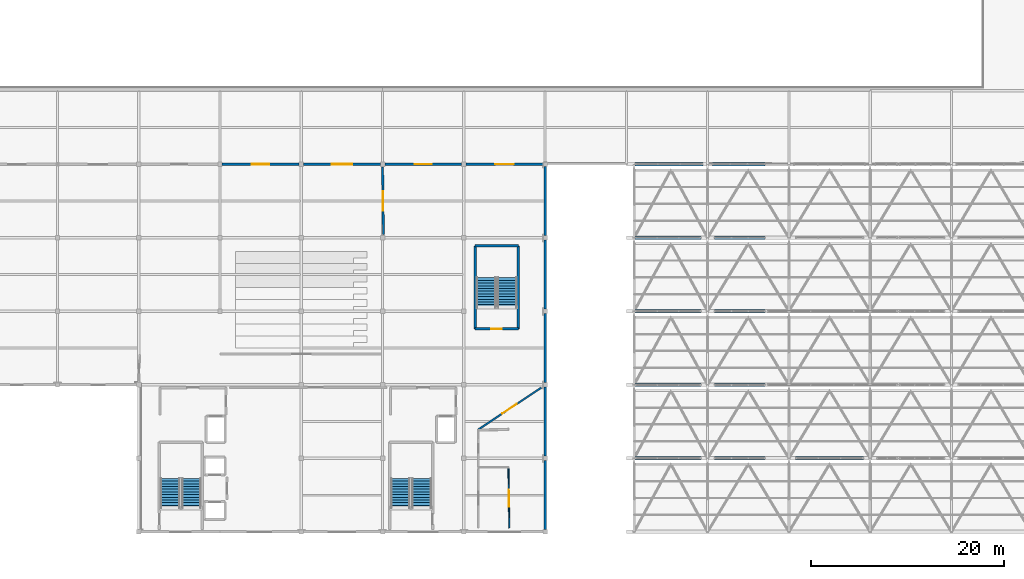
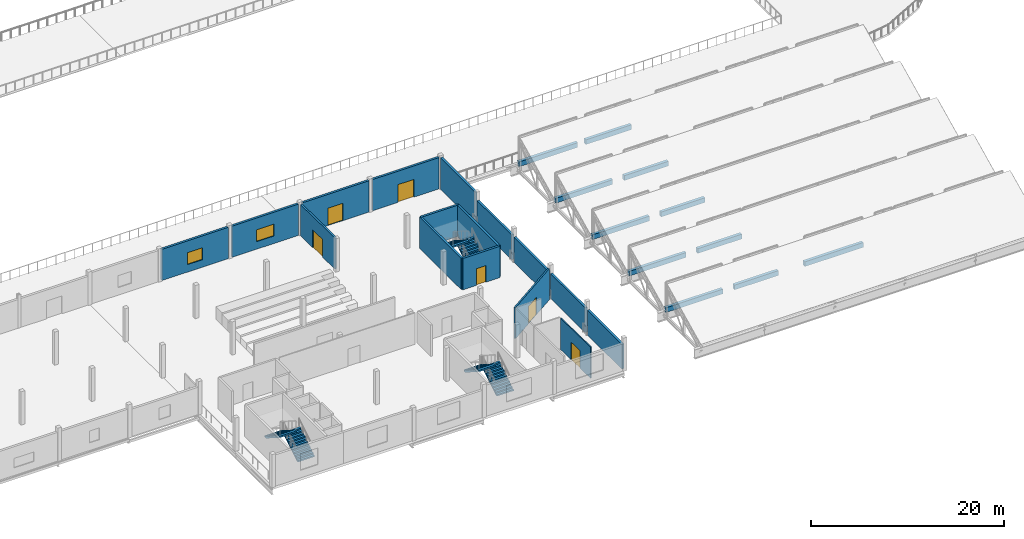
# One storey, part 52 of 57: 16 walls, 11 discrete accessories, 6 doors, 6 stair flights, 2 windows, 8 openings, 3 elements without a shape of their own.
"""IFC4 building model written with IfcOpenShell, lengths in metres."""

from ifc_helpers import new_model, si_unit, direction, frame, frame_2d, origin, origin_2d, place, context, subcontext, project, spatial, polyline, rectangle, outline, extrude, material, layer, layer_set, type_object, element, fill, aggregate, save


model = new_model("IFC4")

# Units and contexts
model_context = context("Model", 3, precision=1e-05, world=origin(), true_north=direction((0.0, 1.0)))
body_context = subcontext(model_context, "Body", "Model", "MODEL_VIEW")
ifc_project = project(units=[si_unit("LENGTHUNIT", "METRE"), si_unit("AREAUNIT", "SQUARE_METRE"), si_unit("VOLUMEUNIT", "CUBIC_METRE"), si_unit("PLANEANGLEUNIT", "RADIAN"), si_unit("MASSUNIT", "GRAM", prefix="KILO")], contexts=[model_context])

# Site, building, storey
site_placement = place(None, origin())
site = spatial("IfcSite", under=ifc_project, at=site_placement, CompositionType="ELEMENT")
building_placement = place(site_placement, origin())
building = spatial("IfcBuilding", under=site, at=building_placement, Name="Zuvorla Pavilion Media Centre", CompositionType="ELEMENT")
storey_placement = place(building_placement, frame((0.0, 0.0, 18.0)))
storey = spatial("IfcBuildingStorey", under=building, at=storey_placement, Name="L04", CompositionType="ELEMENT", Elevation=18.0)

# Wall, opening, door
ifc_material_1 = material(Name="Acoustic masonry blockwork C32/40", Category="masonry")
ifc_layer_1 = layer(ifc_material_1, 0.219970703125)
ifc_layer_set_1 = layer_set([ifc_layer_1], Name="Acoustic masonry blockwork C32/40")
wall_type_1 = type_object("IfcWallType", Name="WL-CMP-220", PredefinedType="SOLIDWALL", material=ifc_layer_set_1)
wall_1_placement = place(storey_placement, frame((92.089111328125, 36.715087890625, 0.0), z_axis=(0.0, 0.0, 1.0), x_axis=(-0.012757630579, 0.999918618119, 0.0)))
wall_1 = element("IfcWall", 1, at=wall_1_placement, inside=storey, type_object=wall_type_1, Name="L04 solid wall IW22 555", PredefinedType="SOLIDWALL", context=body_context, shape_type="SweptSolid", body=[
    extrude(rectangle(XDim=6.98486328125, YDim=0.219970703125, at=frame_2d((3.492431640625, 0.0))), origin(), (0.0, 0.0, 1.0), 3.949951171875),
])
opening_1_placement = place(wall_1_placement, frame((2.492431640625, 0.0, 0.0)))
opening_1 = element("IfcOpeningElement", 2, at=opening_1_placement, cuts=wall_1, Name="Opening FD12", PredefinedType="OPENING", context=body_context, shape_type="SweptSolid", body=[
    extrude(rectangle(XDim=2.0, YDim=2.25, at=frame_2d((1.0, 1.125))), frame((0.0, 0.119873046875, 0.0), z_axis=(0.0, -1.0, 0.0), x_axis=(1.0, 0.0, 0.0)), (0.0, 0.0, 1.0), 0.239990234375),
])
ifc_material_2 = material(Name="Acoustic timber fire door leaf in steel frame", Category="steel")
door_type_1 = type_object("IfcDoorType", Name="DR-INT-FD12", OperationType="NOTDEFINED", PredefinedType="DOOR", material=ifc_material_2)
door_1_placement = place(opening_1_placement, origin())
door_1 = element("IfcDoor", 3, at=door_1_placement, inside=storey, type_object=door_type_1, Name="Interior door FD12 245", OperationType="DOUBLE_DOOR_SINGLE_SWING", OverallHeight=2.25, OverallWidth=2.0, PredefinedType="DOOR", context=body_context, shape_type="SweptSolid", body=[
    extrude(rectangle(XDim=2.0, YDim=2.25, at=frame_2d((1.0, 1.125))), frame((0.0, 0.02490234375, 0.0), z_axis=(0.0, -1.0, 0.0), x_axis=(1.0, 0.0, 0.0)), (0.0, 0.0, 1.0), 0.050048828125),
])
fill(opening_1, door_1)

# Walls
ifc_material_3 = material(Name="Concrete C40/50", Category="concrete")
ifc_layer_2 = layer(ifc_material_3, 0.25)
ifc_layer_set_2 = layer_set([ifc_layer_2], Name="Concrete C40/50")
wall_type_2 = type_object("IfcWallType", Name="WL-COR-250", PredefinedType="SHEAR", material=ifc_layer_set_2)
for number, where, z_axis, x_axis, name in (
    (4, (101.574951171875, 26.97509765625, 0.0), (0.0, 0.0, 1.0), (0.0, 1.0, 0.0), "L04 shear wall CW25 321"),
    (5, (106.02490234375, 26.97509765625, 0.0), (0.0, 0.0, 1.0), (0.0, 1.0, 0.0), "L04 shear wall CW25 322"),
):
    element("IfcWall", number, at=place(storey_placement, frame(where, z_axis=z_axis, x_axis=x_axis)), inside=storey, type_object=wall_type_2, Name=name, PredefinedType="SHEAR", context=body_context, shape_type="SweptSolid", body=[
        extrude(rectangle(XDim=8.599853515625, YDim=0.25, at=frame_2d((4.2998046875, 0.0))), origin(), (0.0, 0.0, 1.0), 3.9599609375),
    ])
wall_2_placement = place(storey_placement, frame((101.574951171875, 35.574951171875, 0.0), z_axis=(0.0, 0.0, 1.0), x_axis=(1.0, 0.0, 0.0)))
element("IfcWall", 6, at=wall_2_placement, inside=storey, type_object=wall_type_2, Name="L04 shear wall CW25 323", PredefinedType="SHEAR", context=body_context, shape_type="SweptSolid", body=[
    extrude(rectangle(XDim=4.449951171875, YDim=0.25, at=frame_2d((2.22509765625, 0.0))), origin(), (0.0, 0.0, 1.0), 3.9599609375),
])

# Wall, opening, door
wall_3_placement = place(storey_placement, frame((101.574951171875, 26.97509765625, 0.0), z_axis=(0.0, 0.0, 1.0), x_axis=(1.0, 0.0, 0.0)))
wall_3 = element("IfcWall", 7, at=wall_3_placement, inside=storey, type_object=wall_type_2, Name="L04 shear wall CW25 324", PredefinedType="SHEAR", context=body_context, shape_type="SweptSolid", body=[
    extrude(rectangle(XDim=4.449951171875, YDim=0.25, at=frame_2d((2.22509765625, 0.0))), origin(), (0.0, 0.0, 1.0), 3.9599609375),
])
opening_2_placement = place(wall_3_placement, frame((1.64990234375, 0.0, 0.0)))
opening_2 = element("IfcOpeningElement", 8, at=opening_2_placement, cuts=wall_3, Name="Opening FD05", PredefinedType="OPENING", context=body_context, shape_type="SweptSolid", body=[
    extrude(rectangle(XDim=1.10009765625, YDim=2.10009765625, at=frame_2d((0.550048828125, 1.050048828125))), frame((0.0, 0.135009765625, 0.0), z_axis=(0.0, -1.0, 0.0), x_axis=(1.0, 0.0, 0.0)), (0.0, 0.0, 1.0), 0.27001953125),
])
door_type_2 = type_object("IfcDoorType", Name="DR-INT-FD05", OperationType="NOTDEFINED", PredefinedType="DOOR", material=ifc_material_2)
door_2_placement = place(opening_2_placement, frame((1.10009765625, 0.0, 0.0), z_axis=(0.0, 0.0, 1.0), x_axis=(-1.0, 0.0, 0.0)))
door_2 = element("IfcDoor", 9, at=door_2_placement, inside=storey, type_object=door_type_2, Name="Stair ST-04 fire door FD05 110", OperationType="SINGLE_SWING_RIGHT", OverallHeight=2.10009765625, OverallWidth=1.10009765625, PredefinedType="DOOR", context=body_context, shape_type="SweptSolid", body=[
    extrude(rectangle(XDim=1.10009765625, YDim=2.10009765625, at=frame_2d((0.550048828125, 1.050048828125))), frame((0.0, 0.02490234375, 0.0), z_axis=(0.0, -1.0, 0.0), x_axis=(1.0, 0.0, 0.0)), (0.0, 0.0, 1.0), 0.050048828125),
])
fill(opening_2, door_2)

# Walls
ifc_material_4 = material(Name="White rendered concrete C32/40", Category="concrete")
ifc_layer_3 = layer(ifc_material_4, 0.260009765625)
ifc_layer_set_3 = layer_set([ifc_layer_3], Name="White rendered concrete C32/40")
wall_type_3 = type_object("IfcWallType", Name="WL-EXT-260", PredefinedType="SOLIDWALL", material=ifc_layer_set_3)
wall_4_placement = place(storey_placement, frame((108.800048828125, 6.22509765625, 0.0), z_axis=(0.0, 0.0, 1.0), x_axis=(0.0, 1.0, 0.0)))
element("IfcWall", 10, at=wall_4_placement, inside=storey, type_object=wall_type_3, Name="L04 exterior solid wall EW04 280", PredefinedType="SOLIDWALL", context=body_context, shape_type="SweptSolid", body=[
    extrude(rectangle(XDim=7.14990234375, YDim=0.260009765625, at=frame_2d((3.574951171875, 0.0))), origin(), (0.0, 0.0, 1.0), 3.134765625),
])
wall_5_placement = place(storey_placement, frame((108.800048828125, 13.824951171875, 0.0), z_axis=(0.0, 0.0, 1.0), x_axis=(0.0, 1.0, 0.0)))
element("IfcWall", 11, at=wall_5_placement, inside=storey, type_object=wall_type_3, Name="L04 exterior solid wall EW04 281", PredefinedType="SOLIDWALL", context=body_context, shape_type="SweptSolid", body=[
    extrude(rectangle(XDim=7.150146484375, YDim=0.260009765625, at=frame_2d((3.5751953125, 0.0))), origin(), (0.0, 0.0, 1.0), 3.134765625),
])
wall_6_placement = place(storey_placement, frame((108.800048828125, 21.425048828125, 0.0), z_axis=(0.0, 0.0, 1.0), x_axis=(0.0, 1.0, 0.0)))
element("IfcWall", 12, at=wall_6_placement, inside=storey, type_object=wall_type_3, Name="L04 exterior solid wall EW04 282", PredefinedType="SOLIDWALL", context=body_context, shape_type="SweptSolid", body=[
    extrude(rectangle(XDim=7.14990234375, YDim=0.260009765625, at=frame_2d((3.574951171875, 0.0))), origin(), (0.0, 0.0, 1.0), 3.134765625),
])
wall_7_placement = place(storey_placement, frame((108.800048828125, 29.02490234375, 0.0), z_axis=(0.0, 0.0, 1.0), x_axis=(0.0, 1.0, 0.0)))
element("IfcWall", 13, at=wall_7_placement, inside=storey, type_object=wall_type_3, Name="L04 exterior solid wall EW04 283", PredefinedType="SOLIDWALL", context=body_context, shape_type="SweptSolid", body=[
    extrude(rectangle(XDim=7.150146484375, YDim=0.260009765625, at=frame_2d((3.5751953125, 0.0))), origin(), (0.0, 0.0, 1.0), 3.134765625),
])
wall_8_placement = place(storey_placement, frame((108.800048828125, 36.625, 0.0), z_axis=(0.0, 0.0, 1.0), x_axis=(0.0, 1.0, 0.0)))
element("IfcWall", 14, at=wall_8_placement, inside=storey, type_object=wall_type_3, Name="L04 exterior solid wall EW04 284", PredefinedType="SOLIDWALL", context=body_context, shape_type="SweptSolid", body=[
    extrude(rectangle(XDim=7.14990234375, YDim=0.260009765625, at=frame_2d((3.574951171875, 0.0))), origin(), (0.0, 0.0, 1.0), 3.949951171875),
])

# Wall, opening, window
wall_9_placement = place(storey_placement, frame((75.425048828125, 44.0, 0.0), z_axis=(0.0, 0.0, 1.0), x_axis=(1.0, 0.0, 0.0)))
wall_9 = element("IfcWall", 15, at=wall_9_placement, inside=storey, type_object=wall_type_3, Name="L04 exterior solid wall EW04 295", PredefinedType="SOLIDWALL", context=body_context, shape_type="SweptSolid", body=[
    extrude(rectangle(XDim=7.949951171875, YDim=0.260009765625, at=frame_2d((3.97509765625, 0.0))), origin(), (0.0, 0.0, 1.0), 3.949951171875),
])
opening_3_placement = place(wall_9_placement, frame((3.074951171875, 0.0, 0.949951171875)))
opening_3 = element("IfcOpeningElement", 16, at=opening_3_placement, cuts=wall_9, Name="Opening WN05", PredefinedType="OPENING", context=body_context, shape_type="SweptSolid", body=[
    extrude(rectangle(XDim=1.800048828125, YDim=1.5, at=frame_2d((0.89990234375, 0.75))), frame((0.0, 0.139892578125, 0.0), z_axis=(0.0, -1.0, 0.0), x_axis=(1.0, 0.0, 0.0)), (0.0, 0.0, 1.0), 0.280029296875),
])
ifc_material_5 = material(Name="Anodised aluminium frame with solar double glazing", Category="aluminium")
window_type_1 = type_object("IfcWindowType", Name="WIN-WN05", PartitioningType="DOUBLE_PANEL_VERTICAL", PredefinedType="WINDOW", material=ifc_material_5)
window_1_placement = place(opening_3_placement, origin())
window_1 = element("IfcWindow", 17, at=window_1_placement, inside=storey, type_object=window_type_1, Name="L04 window WN05 117", OverallHeight=1.5, OverallWidth=1.800048828125, PartitioningType="DOUBLE_PANEL_VERTICAL", PredefinedType="WINDOW", context=body_context, shape_type="SweptSolid", body=[
    extrude(rectangle(XDim=1.800048828125, YDim=1.5, at=frame_2d((0.89990234375, 0.75))), frame((0.0, 0.030029296875, 0.0), z_axis=(0.0, -1.0, 0.0), x_axis=(1.0, 0.0, 0.0)), (0.0, 0.0, 1.0), 0.06005859375),
])
fill(opening_3, window_1)

wall_10_placement = place(storey_placement, frame((83.824951171875, 44.0, 0.0), z_axis=(0.0, 0.0, 1.0), x_axis=(1.0, 0.0, 0.0)))
wall_10 = element("IfcWall", 18, at=wall_10_placement, inside=storey, type_object=wall_type_3, Name="L04 exterior solid wall EW04 296", PredefinedType="SOLIDWALL", context=body_context, shape_type="SweptSolid", body=[
    extrude(rectangle(XDim=7.949951171875, YDim=0.260009765625, at=frame_2d((3.97509765625, 0.0))), origin(), (0.0, 0.0, 1.0), 3.949951171875),
])
opening_4_placement = place(wall_10_placement, frame((2.925048828125, 0.0, 0.949951171875)))
opening_4 = element("IfcOpeningElement", 19, at=opening_4_placement, cuts=wall_10, Name="Opening WN06", PredefinedType="OPENING", context=body_context, shape_type="SweptSolid", body=[
    extrude(rectangle(XDim=2.10009765625, YDim=1.5, at=frame_2d((1.050048828125, 0.75))), frame((0.0, 0.139892578125, 0.0), z_axis=(0.0, -1.0, 0.0), x_axis=(1.0, 0.0, 0.0)), (0.0, 0.0, 1.0), 0.280029296875),
])
window_type_2 = type_object("IfcWindowType", Name="WIN-WN06", PartitioningType="DOUBLE_PANEL_VERTICAL", PredefinedType="WINDOW", material=ifc_material_5)
window_2_placement = place(opening_4_placement, origin())
window_2 = element("IfcWindow", 20, at=window_2_placement, inside=storey, type_object=window_type_2, Name="L04 window WN06 118", OverallHeight=1.5, OverallWidth=2.10009765625, PartitioningType="DOUBLE_PANEL_VERTICAL", PredefinedType="WINDOW", context=body_context, shape_type="SweptSolid", body=[
    extrude(rectangle(XDim=2.10009765625, YDim=1.5, at=frame_2d((1.050048828125, 0.75))), frame((0.0, 0.030029296875, 0.0), z_axis=(0.0, -1.0, 0.0), x_axis=(1.0, 0.0, 0.0)), (0.0, 0.0, 1.0), 0.06005859375),
])
fill(opening_4, window_2)

# Wall, opening, door
wall_11_placement = place(storey_placement, frame((92.22509765625, 44.0, 0.0), z_axis=(0.0, 0.0, 1.0), x_axis=(1.0, 0.0, 0.0)))
wall_11 = element("IfcWall", 21, at=wall_11_placement, inside=storey, type_object=wall_type_3, Name="L04 exterior solid wall EW04 297", PredefinedType="SOLIDWALL", context=body_context, shape_type="SweptSolid", body=[
    extrude(rectangle(XDim=7.949951171875, YDim=0.260009765625, at=frame_2d((3.97509765625, 0.0))), origin(), (0.0, 0.0, 1.0), 3.949951171875),
])
opening_5_placement = place(wall_11_placement, frame((3.074951171875, 0.0, 0.0)))
opening_5 = element("IfcOpeningElement", 22, at=opening_5_placement, cuts=wall_11, Name="Opening ED04", PredefinedType="OPENING", context=body_context, shape_type="SweptSolid", body=[
    extrude(rectangle(XDim=1.800048828125, YDim=2.199951171875, at=frame_2d((0.89990234375, 1.10009765625))), frame((0.0, 0.139892578125, 0.0), z_axis=(0.0, -1.0, 0.0), x_axis=(1.0, 0.0, 0.0)), (0.0, 0.0, 1.0), 0.280029296875),
])
ifc_material_6 = material(Name="Anodised aluminium terrace double door", Category="aluminium")
door_type_3 = type_object("IfcDoorType", Name="DR-EXT-180x220", OperationType="NOTDEFINED", PredefinedType="DOOR", material=ifc_material_6)
door_3_placement = place(opening_5_placement, origin())
door_3 = element("IfcDoor", 23, at=door_3_placement, inside=storey, type_object=door_type_3, Name="Terrace Entrance Door DR-EXT-L04-023", OperationType="DOUBLE_DOOR_SINGLE_SWING", OverallHeight=2.199951171875, OverallWidth=1.800048828125, PredefinedType="DOOR", context=body_context, shape_type="SweptSolid", body=[
    extrude(rectangle(XDim=1.800048828125, YDim=2.199951171875, at=frame_2d((0.89990234375, 1.10009765625))), frame((0.0, 0.02490234375, 0.0), z_axis=(0.0, -1.0, 0.0), x_axis=(1.0, 0.0, 0.0)), (0.0, 0.0, 1.0), 0.050048828125),
])
fill(opening_5, door_3)

wall_12_placement = place(storey_placement, frame((100.625, 44.0, 0.0), z_axis=(0.0, 0.0, 1.0), x_axis=(1.0, 0.0, 0.0)))
wall_12 = element("IfcWall", 24, at=wall_12_placement, inside=storey, type_object=wall_type_3, Name="L04 exterior solid wall EW04 298", PredefinedType="SOLIDWALL", context=body_context, shape_type="SweptSolid", body=[
    extrude(rectangle(XDim=7.949951171875, YDim=0.260009765625, at=frame_2d((3.97509765625, 0.0))), origin(), (0.0, 0.0, 1.0), 3.949951171875),
])
opening_6_placement = place(wall_12_placement, frame((3.02490234375, 0.0, 0.0)))
opening_6 = element("IfcOpeningElement", 25, at=opening_6_placement, cuts=wall_12, Name="Opening ED05", PredefinedType="OPENING", context=body_context, shape_type="SweptSolid", body=[
    extrude(rectangle(XDim=1.89990234375, YDim=2.25, at=frame_2d((0.949951171875, 1.125))), frame((0.0, 0.139892578125, 0.0), z_axis=(0.0, -1.0, 0.0), x_axis=(1.0, 0.0, 0.0)), (0.0, 0.0, 1.0), 0.280029296875),
])
ifc_material_7 = material(Name="Anodised aluminium lounge terrace door", Category="aluminium")
door_type_4 = type_object("IfcDoorType", Name="DR-EXT-190x225", OperationType="NOTDEFINED", PredefinedType="DOOR", material=ifc_material_7)
door_4_placement = place(opening_6_placement, origin())
door_4 = element("IfcDoor", 26, at=door_4_placement, inside=storey, type_object=door_type_4, Name="Terrace Entrance Door DR-EXT-L04-024", OperationType="DOUBLE_DOOR_SINGLE_SWING", OverallHeight=2.25, OverallWidth=1.89990234375, PredefinedType="DOOR", context=body_context, shape_type="SweptSolid", body=[
    extrude(rectangle(XDim=1.89990234375, YDim=2.25, at=frame_2d((0.949951171875, 1.125))), frame((0.0, 0.02490234375, 0.0), z_axis=(0.0, -1.0, 0.0), x_axis=(1.0, 0.0, 0.0)), (0.0, 0.0, 1.0), 0.050048828125),
])
fill(opening_6, door_4)

ifc_material_8 = material(Name="Lightweight gypsum partition")
ifc_layer_4 = layer(ifc_material_8, 0.1201171875)
ifc_layer_set_4 = layer_set([ifc_layer_4], Name="Lightweight gypsum partition")
wall_type_4 = type_object("IfcWallType", Name="WL-PRT-120", PredefinedType="PARTITIONING", material=ifc_layer_set_4)
wall_13_placement = place(storey_placement, frame((105.010009765625, 12.510009765625, 0.0), z_axis=(0.0, 0.0, 1.0), x_axis=(0.014742474068, -0.999891323824, 0.0)))
wall_13 = element("IfcWall", 27, at=wall_13_placement, inside=storey, type_object=wall_type_4, Name="L04 partition PT12 558", PredefinedType="PARTITIONING", context=body_context, shape_type="SweptSolid", body=[
    extrude(rectangle(XDim=6.11083984375, YDim=0.1201171875, at=frame_2d((3.055419921875, 0.0))), origin(), (0.0, 0.0, 1.0), 3.949951171875),
])
opening_7_placement = place(wall_13_placement, frame((2.180419921875, 0.0, 0.0)))
opening_7 = element("IfcOpeningElement", 28, at=opening_7_placement, cuts=wall_13, Name="Opening ID11", PredefinedType="OPENING", context=body_context, shape_type="SweptSolid", body=[
    extrude(rectangle(XDim=1.75, YDim=2.219970703125, at=frame_2d((0.875, 1.10986328125))), frame((0.0, 0.070068359375, 0.0), z_axis=(0.0, -1.0, 0.0), x_axis=(1.0, 0.0, 0.0)), (0.0, 0.0, 1.0), 0.14013671875),
])
ifc_material_9 = material(Name="Hardwood acoustic studio door in anodised frame", Category="wood")
door_type_5 = type_object("IfcDoorType", Name="DR-UNR-ID11", OperationType="NOTDEFINED", PredefinedType="DOOR", material=ifc_material_9)
door_5_placement = place(opening_7_placement, origin())
door_5 = element("IfcDoor", 29, at=door_5_placement, inside=storey, type_object=door_type_5, Name="Interior door ID11 246", OperationType="DOUBLE_DOOR_SINGLE_SWING", OverallHeight=2.219970703125, OverallWidth=1.75, PredefinedType="DOOR", context=body_context, shape_type="SweptSolid", body=[
    extrude(rectangle(XDim=1.75, YDim=2.219970703125, at=frame_2d((0.875, 1.10986328125))), frame((0.0, 0.02490234375, 0.0), z_axis=(0.0, -1.0, 0.0), x_axis=(1.0, 0.0, 0.0)), (0.0, 0.0, 1.0), 0.050048828125),
])
fill(opening_7, door_5)

ifc_material_10 = material(Name="Double acoustic gypsum stud partition")
ifc_layer_5 = layer(ifc_material_10, 0.179931640625)
ifc_layer_set_5 = layer_set([ifc_layer_5], Name="Double acoustic gypsum stud partition")
wall_type_5 = type_object("IfcWallType", Name="WL-PRT-180", PredefinedType="PARTITIONING", material=ifc_layer_set_5)
wall_14_placement = place(storey_placement, frame((108.39990234375, 20.89990234375, 0.0), z_axis=(0.0, 0.0, 1.0), x_axis=(-0.833143866765, -0.553056323779, 0.0)))
wall_14 = element("IfcWall", 30, at=wall_14_placement, inside=storey, type_object=wall_type_5, Name="L04 partition PT18 551", PredefinedType="PARTITIONING", context=body_context, shape_type="SweptSolid", body=[
    extrude(rectangle(XDim=7.853759765625, YDim=0.179931640625, at=frame_2d((3.9267578125, 0.0))), origin(), (0.0, 0.0, 1.0), 3.949951171875),
])
opening_8_placement = place(wall_14_placement, frame((3.02685546875, 0.0, 0.0)))
opening_8 = element("IfcOpeningElement", 31, at=opening_8_placement, cuts=wall_14, Name="Opening FD10", PredefinedType="OPENING", context=body_context, shape_type="SweptSolid", body=[
    extrude(rectangle(XDim=1.800048828125, YDim=2.199951171875, at=frame_2d((0.89990234375, 1.10009765625))), frame((0.0, 0.099853515625, 0.0), z_axis=(0.0, -1.0, 0.0), x_axis=(1.0, 0.0, 0.0)), (0.0, 0.0, 1.0), 0.199951171875),
])
door_type_6 = type_object("IfcDoorType", Name="DR-INT-FD10", OperationType="NOTDEFINED", PredefinedType="DOOR", material=ifc_material_2)
door_6_placement = place(opening_8_placement, origin())
door_6 = element("IfcDoor", 32, at=door_6_placement, inside=storey, type_object=door_type_6, Name="Interior door FD10 241", OperationType="DOUBLE_DOOR_SINGLE_SWING", OverallHeight=2.199951171875, OverallWidth=1.800048828125, PredefinedType="DOOR", context=body_context, shape_type="SweptSolid", body=[
    extrude(rectangle(XDim=1.800048828125, YDim=2.199951171875, at=frame_2d((0.89990234375, 1.10009765625))), frame((0.0, 0.02490234375, 0.0), z_axis=(0.0, -1.0, 0.0), x_axis=(1.0, 0.0, 0.0)), (0.0, 0.0, 1.0), 0.050048828125),
])
fill(opening_8, door_6)

# Stair, stair flights
stair_type = type_object("IfcStairType", Name="STR-DOG-420", PredefinedType="TWO_STRAIGHT_RUN_STAIR", material=ifc_material_3)
stair_1_placement = place(storey_placement, origin())
stair_1 = element("IfcStair", 33, at=stair_1_placement, inside=storey, type_object=stair_type, Name="L04 exit stair ST-01", PredefinedType="TWO_STRAIGHT_RUN_STAIR")
stair_flight_type = type_object("IfcStairFlightType", Name="FLT-DOG-420", PredefinedType="STRAIGHT", material=ifc_material_3)
stair_flight_1_placement = place(storey_placement, frame((72.25, 8.449951171875, 0.0), z_axis=(0.0, 0.0, 1.0), x_axis=(0.0, 1.0, 0.0)))
stair_flight_1 = element("IfcStairFlight", 34, at=stair_flight_1_placement, type_object=stair_flight_type, Name="ST-01 flight 1", NumberOfRisers=12, NumberOfTreads=11, PredefinedType="STRAIGHT", RiserHeight=0.175, TreadLength=0.28, context=body_context, shape_type="SweptSolid", body=[
    extrude(outline(polyline([(0.0, 0.0), (0.0, 0.175048828125), (0.280029296875, 0.175048828125), (0.280029296875, 0.35009765625), (0.56005859375, 0.35009765625), (0.56005859375, 0.52490234375), (0.840087890625, 0.52490234375), (0.840087890625, 0.699951171875), (1.1201171875, 0.699951171875), (1.1201171875, 0.875), (1.39990234375, 0.875), (1.39990234375, 1.050048828125), (1.679931640625, 1.050048828125), (1.679931640625, 1.22509765625), (1.9599609375, 1.22509765625), (1.9599609375, 1.39990234375), (2.239990234375, 1.39990234375), (2.239990234375, 1.574951171875), (2.52001953125, 1.574951171875), (2.52001953125, 1.75), (2.800048828125, 1.75), (2.800048828125, 1.925048828125), (3.080078125, 1.925048828125), (3.080078125, 2.10009765625), (3.080078125, 1.736328125), (0.3017578125, 0.0), (0.0, 0.0)])), frame((0.0, 1.0, 0.0), z_axis=(0.0, -1.0, 0.0), x_axis=(1.0, 0.0, 0.0)), (0.0, 0.0, 1.0), 2.0),
])
stair_flight_2_placement = place(storey_placement, frame((70.050048828125, 11.530029296875, 2.10009765625), z_axis=(0.0, 0.0, 1.0), x_axis=(0.0, -1.0, 0.0)))
stair_flight_2 = element("IfcStairFlight", 35, at=stair_flight_2_placement, type_object=stair_flight_type, Name="ST-01 flight 2", NumberOfRisers=12, NumberOfTreads=11, PredefinedType="STRAIGHT", RiserHeight=0.175, TreadLength=0.28, context=body_context, shape_type="SweptSolid", body=[
    extrude(outline(polyline([(0.0, 0.0), (0.0, 0.175048828125), (0.280029296875, 0.175048828125), (0.280029296875, 0.35009765625), (0.56005859375, 0.35009765625), (0.56005859375, 0.52490234375), (0.840087890625, 0.52490234375), (0.840087890625, 0.699951171875), (1.1201171875, 0.699951171875), (1.1201171875, 0.875), (1.39990234375, 0.875), (1.39990234375, 1.050048828125), (1.679931640625, 1.050048828125), (1.679931640625, 1.22509765625), (1.9599609375, 1.22509765625), (1.9599609375, 1.39990234375), (2.239990234375, 1.39990234375), (2.239990234375, 1.574951171875), (2.52001953125, 1.574951171875), (2.52001953125, 1.75), (2.800048828125, 1.75), (2.800048828125, 1.925048828125), (3.080078125, 1.925048828125), (3.080078125, 2.10009765625), (3.080078125, 1.736328125), (0.3017578125, 0.0), (0.0, 0.0)])), frame((0.0, 1.0, 0.0), z_axis=(0.0, -1.0, 0.0), x_axis=(1.0, 0.0, 0.0)), (0.0, 0.0, 1.0), 2.0),
])
aggregate(stair_1, [stair_flight_1, stair_flight_2])

stair_2_placement = place(storey_placement, origin())
stair_2 = element("IfcStair", 36, at=stair_2_placement, inside=storey, type_object=stair_type, Name="L04 exit stair ST-02", PredefinedType="TWO_STRAIGHT_RUN_STAIR")
stair_flight_3_placement = place(storey_placement, frame((96.050048828125, 8.449951171875, 0.0), z_axis=(0.0, 0.0, 1.0), x_axis=(0.0, 1.0, 0.0)))
stair_flight_3 = element("IfcStairFlight", 37, at=stair_flight_3_placement, type_object=stair_flight_type, Name="ST-02 flight 1", NumberOfRisers=12, NumberOfTreads=11, PredefinedType="STRAIGHT", RiserHeight=0.175, TreadLength=0.28, context=body_context, shape_type="SweptSolid", body=[
    extrude(outline(polyline([(0.0, 0.0), (0.0, 0.175048828125), (0.280029296875, 0.175048828125), (0.280029296875, 0.35009765625), (0.56005859375, 0.35009765625), (0.56005859375, 0.52490234375), (0.840087890625, 0.52490234375), (0.840087890625, 0.699951171875), (1.1201171875, 0.699951171875), (1.1201171875, 0.875), (1.39990234375, 0.875), (1.39990234375, 1.050048828125), (1.679931640625, 1.050048828125), (1.679931640625, 1.22509765625), (1.9599609375, 1.22509765625), (1.9599609375, 1.39990234375), (2.239990234375, 1.39990234375), (2.239990234375, 1.574951171875), (2.52001953125, 1.574951171875), (2.52001953125, 1.75), (2.800048828125, 1.75), (2.800048828125, 1.925048828125), (3.080078125, 1.925048828125), (3.080078125, 2.10009765625), (3.080078125, 1.736328125), (0.3017578125, 0.0), (0.0, 0.0)])), frame((0.0, 1.0, 0.0), z_axis=(0.0, -1.0, 0.0), x_axis=(1.0, 0.0, 0.0)), (0.0, 0.0, 1.0), 2.0),
])
stair_flight_4_placement = place(storey_placement, frame((93.85009765625, 11.530029296875, 2.10009765625), z_axis=(0.0, 0.0, 1.0), x_axis=(0.0, -1.0, 0.0)))
stair_flight_4 = element("IfcStairFlight", 38, at=stair_flight_4_placement, type_object=stair_flight_type, Name="ST-02 flight 2", NumberOfRisers=12, NumberOfTreads=11, PredefinedType="STRAIGHT", RiserHeight=0.175, TreadLength=0.28, context=body_context, shape_type="SweptSolid", body=[
    extrude(outline(polyline([(0.0, 0.0), (0.0, 0.175048828125), (0.280029296875, 0.175048828125), (0.280029296875, 0.35009765625), (0.56005859375, 0.35009765625), (0.56005859375, 0.52490234375), (0.840087890625, 0.52490234375), (0.840087890625, 0.699951171875), (1.1201171875, 0.699951171875), (1.1201171875, 0.875), (1.39990234375, 0.875), (1.39990234375, 1.050048828125), (1.679931640625, 1.050048828125), (1.679931640625, 1.22509765625), (1.9599609375, 1.22509765625), (1.9599609375, 1.39990234375), (2.239990234375, 1.39990234375), (2.239990234375, 1.574951171875), (2.52001953125, 1.574951171875), (2.52001953125, 1.75), (2.800048828125, 1.75), (2.800048828125, 1.925048828125), (3.080078125, 1.925048828125), (3.080078125, 2.10009765625), (3.080078125, 1.736328125), (0.3017578125, 0.0), (0.0, 0.0)])), frame((0.0, 1.0, 0.0), z_axis=(0.0, -1.0, 0.0), x_axis=(1.0, 0.0, 0.0)), (0.0, 0.0, 1.0), 2.0),
])
aggregate(stair_2, [stair_flight_3, stair_flight_4])

stair_3_placement = place(storey_placement, origin())
stair_3 = element("IfcStair", 39, at=stair_3_placement, inside=storey, type_object=stair_type, Name="L04 exit stair ST-04", PredefinedType="TWO_STRAIGHT_RUN_STAIR")
stair_flight_5_placement = place(storey_placement, frame((104.89990234375, 29.199951171875, 0.0), z_axis=(0.0, 0.0, 1.0), x_axis=(0.0, 1.0, 0.0)))
stair_flight_5 = element("IfcStairFlight", 40, at=stair_flight_5_placement, type_object=stair_flight_type, Name="ST-04 flight 1", NumberOfRisers=12, NumberOfTreads=11, PredefinedType="STRAIGHT", RiserHeight=0.175, TreadLength=0.28, context=body_context, shape_type="SweptSolid", body=[
    extrude(outline(polyline([(0.0, 0.0), (0.0, 0.175048828125), (0.280029296875, 0.175048828125), (0.280029296875, 0.35009765625), (0.56005859375, 0.35009765625), (0.56005859375, 0.52490234375), (0.840087890625, 0.52490234375), (0.840087890625, 0.699951171875), (1.1201171875, 0.699951171875), (1.1201171875, 0.875), (1.39990234375, 0.875), (1.39990234375, 1.050048828125), (1.679931640625, 1.050048828125), (1.679931640625, 1.22509765625), (1.9599609375, 1.22509765625), (1.9599609375, 1.39990234375), (2.239990234375, 1.39990234375), (2.239990234375, 1.574951171875), (2.52001953125, 1.574951171875), (2.52001953125, 1.75), (2.800048828125, 1.75), (2.800048828125, 1.925048828125), (3.080078125, 1.925048828125), (3.080078125, 2.10009765625), (3.080078125, 1.736328125), (0.3017578125, 0.0), (0.0, 0.0)])), frame((0.0, 1.0, 0.0), z_axis=(0.0, -1.0, 0.0), x_axis=(1.0, 0.0, 0.0)), (0.0, 0.0, 1.0), 2.0),
])
stair_flight_6_placement = place(storey_placement, frame((102.699951171875, 32.280029296875, 2.10009765625), z_axis=(0.0, 0.0, 1.0), x_axis=(0.0, -1.0, 0.0)))
stair_flight_6 = element("IfcStairFlight", 41, at=stair_flight_6_placement, type_object=stair_flight_type, Name="ST-04 flight 2", NumberOfRisers=12, NumberOfTreads=11, PredefinedType="STRAIGHT", RiserHeight=0.175, TreadLength=0.28, context=body_context, shape_type="SweptSolid", body=[
    extrude(outline(polyline([(0.0, 0.0), (0.0, 0.175048828125), (0.280029296875, 0.175048828125), (0.280029296875, 0.35009765625), (0.56005859375, 0.35009765625), (0.56005859375, 0.52490234375), (0.840087890625, 0.52490234375), (0.840087890625, 0.699951171875), (1.1201171875, 0.699951171875), (1.1201171875, 0.875), (1.39990234375, 0.875), (1.39990234375, 1.050048828125), (1.679931640625, 1.050048828125), (1.679931640625, 1.22509765625), (1.9599609375, 1.22509765625), (1.9599609375, 1.39990234375), (2.239990234375, 1.39990234375), (2.239990234375, 1.574951171875), (2.52001953125, 1.574951171875), (2.52001953125, 1.75), (2.800048828125, 1.75), (2.800048828125, 1.925048828125), (3.080078125, 1.925048828125), (3.080078125, 2.10009765625), (3.080078125, 1.736328125), (0.3017578125, 0.0), (0.0, 0.0)])), frame((0.0, 1.0, 0.0), z_axis=(0.0, -1.0, 0.0), x_axis=(1.0, 0.0, 0.0)), (0.0, 0.0, 1.0), 2.0),
])
aggregate(stair_3, [stair_flight_5, stair_flight_6])

# Discrete accessories
ifc_material_11 = material(Name="Galvanised steel S355 fixing bracket", Category="steel")
discrete_accessory_type = type_object("IfcDiscreteAccessoryType", Name="ACC-BRK-STL", PredefinedType="BRACKET", material=ifc_material_11)
discrete_accessory_1_placement = place(storey_placement, frame((121.5078125, 13.60009765625, -0.52001953125), z_axis=(0.0, 0.0, 1.0), x_axis=(1.0, 0.0, 0.0)))
element("IfcDiscreteAccessory", 42, at=discrete_accessory_1_placement, inside=storey, type_object=discrete_accessory_type, Name="L04 clerestory sill bracket", PredefinedType="BRACKET", context=body_context, shape_type="SweptSolid", body=[
    extrude(rectangle(XDim=6.795654296875, YDim=0.360107421875, at=origin_2d()), origin(), (0.0, 0.0, 1.0), 0.60009765625),
])
discrete_accessory_2_placement = place(storey_placement, frame((128.925537109375, 13.60009765625, -0.52001953125), z_axis=(0.0, 0.0, 1.0), x_axis=(1.0, 0.0, 0.0)))
element("IfcDiscreteAccessory", 43, at=discrete_accessory_2_placement, inside=storey, type_object=discrete_accessory_type, Name="L04 clerestory sill bracket", PredefinedType="BRACKET", context=body_context, shape_type="SweptSolid", body=[
    extrude(rectangle(XDim=5.262451171875, YDim=0.360107421875, at=origin_2d()), origin(), (0.0, 0.0, 1.0), 0.60009765625),
])
discrete_accessory_3_placement = place(storey_placement, frame((138.199951171875, 13.60009765625, -0.52001953125), z_axis=(0.0, 0.0, 1.0), x_axis=(1.0, 0.0, 0.0)))
element("IfcDiscreteAccessory", 44, at=discrete_accessory_3_placement, inside=storey, type_object=discrete_accessory_type, Name="L04 clerestory sill bracket", PredefinedType="BRACKET", context=body_context, shape_type="SweptSolid", body=[
    extrude(rectangle(XDim=7.011474609375, YDim=0.360107421875, at=origin_2d()), origin(), (0.0, 0.0, 1.0), 0.60009765625),
])
discrete_accessory_4_placement = place(storey_placement, frame((121.5078125, 21.199951171875, -0.52001953125), z_axis=(0.0, 0.0, 1.0), x_axis=(1.0, 0.0, 0.0)))
element("IfcDiscreteAccessory", 45, at=discrete_accessory_4_placement, inside=storey, type_object=discrete_accessory_type, Name="L04 clerestory sill bracket", PredefinedType="BRACKET", context=body_context, shape_type="SweptSolid", body=[
    extrude(rectangle(XDim=6.795654296875, YDim=0.360107421875, at=origin_2d()), origin(), (0.0, 0.0, 1.0), 0.60009765625),
])
discrete_accessory_5_placement = place(storey_placement, frame((128.925537109375, 21.199951171875, -0.52001953125), z_axis=(0.0, 0.0, 1.0), x_axis=(1.0, 0.0, 0.0)))
element("IfcDiscreteAccessory", 46, at=discrete_accessory_5_placement, inside=storey, type_object=discrete_accessory_type, Name="L04 clerestory sill bracket", PredefinedType="BRACKET", context=body_context, shape_type="SweptSolid", body=[
    extrude(rectangle(XDim=5.262451171875, YDim=0.360107421875, at=origin_2d()), origin(), (0.0, 0.0, 1.0), 0.60009765625),
])
discrete_accessory_6_placement = place(storey_placement, frame((121.5078125, 28.800048828125, -0.52001953125), z_axis=(0.0, 0.0, 1.0), x_axis=(1.0, 0.0, 0.0)))
element("IfcDiscreteAccessory", 47, at=discrete_accessory_6_placement, inside=storey, type_object=discrete_accessory_type, Name="L04 clerestory sill bracket", PredefinedType="BRACKET", context=body_context, shape_type="SweptSolid", body=[
    extrude(rectangle(XDim=6.795654296875, YDim=0.360107421875, at=origin_2d()), origin(), (0.0, 0.0, 1.0), 0.60009765625),
])
discrete_accessory_7_placement = place(storey_placement, frame((128.925537109375, 28.800048828125, -0.52001953125), z_axis=(0.0, 0.0, 1.0), x_axis=(1.0, 0.0, 0.0)))
element("IfcDiscreteAccessory", 48, at=discrete_accessory_7_placement, inside=storey, type_object=discrete_accessory_type, Name="L04 clerestory sill bracket", PredefinedType="BRACKET", context=body_context, shape_type="SweptSolid", body=[
    extrude(rectangle(XDim=5.262451171875, YDim=0.360107421875, at=origin_2d()), origin(), (0.0, 0.0, 1.0), 0.60009765625),
])
discrete_accessory_8_placement = place(storey_placement, frame((121.5078125, 36.39990234375, -0.52001953125), z_axis=(0.0, 0.0, 1.0), x_axis=(1.0, 0.0, 0.0)))
element("IfcDiscreteAccessory", 49, at=discrete_accessory_8_placement, inside=storey, type_object=discrete_accessory_type, Name="L04 clerestory sill bracket", PredefinedType="BRACKET", context=body_context, shape_type="SweptSolid", body=[
    extrude(rectangle(XDim=6.795654296875, YDim=0.360107421875, at=origin_2d()), origin(), (0.0, 0.0, 1.0), 0.60009765625),
])
discrete_accessory_9_placement = place(storey_placement, frame((128.925537109375, 36.39990234375, -0.52001953125), z_axis=(0.0, 0.0, 1.0), x_axis=(1.0, 0.0, 0.0)))
element("IfcDiscreteAccessory", 50, at=discrete_accessory_9_placement, inside=storey, type_object=discrete_accessory_type, Name="L04 clerestory sill bracket", PredefinedType="BRACKET", context=body_context, shape_type="SweptSolid", body=[
    extrude(rectangle(XDim=5.262451171875, YDim=0.360107421875, at=origin_2d()), origin(), (0.0, 0.0, 1.0), 0.60009765625),
])
discrete_accessory_10_placement = place(storey_placement, frame((121.608642578125, 44.0, -0.52001953125), z_axis=(0.0, 0.0, 1.0), x_axis=(1.0, 0.0, 0.0)))
element("IfcDiscreteAccessory", 51, at=discrete_accessory_10_placement, inside=storey, type_object=discrete_accessory_type, Name="L04 clerestory sill bracket", PredefinedType="BRACKET", context=body_context, shape_type="SweptSolid", body=[
    extrude(rectangle(XDim=6.997314453125, YDim=0.360107421875, at=origin_2d()), origin(), (0.0, 0.0, 1.0), 0.60009765625),
])
discrete_accessory_11_placement = place(storey_placement, frame((128.82470703125, 44.0, -0.52001953125), z_axis=(0.0, 0.0, 1.0), x_axis=(1.0, 0.0, 0.0)))
element("IfcDiscreteAccessory", 52, at=discrete_accessory_11_placement, inside=storey, type_object=discrete_accessory_type, Name="L04 clerestory sill bracket", PredefinedType="BRACKET", context=body_context, shape_type="SweptSolid", body=[
    extrude(rectangle(XDim=5.464111328125, YDim=0.360107421875, at=origin_2d()), origin(), (0.0, 0.0, 1.0), 0.60009765625),
])

save(model, "model.ifc")
